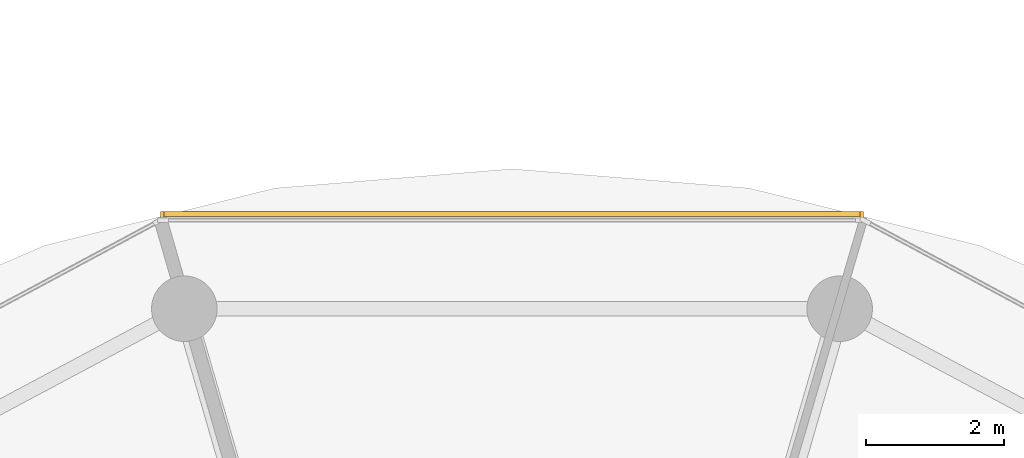
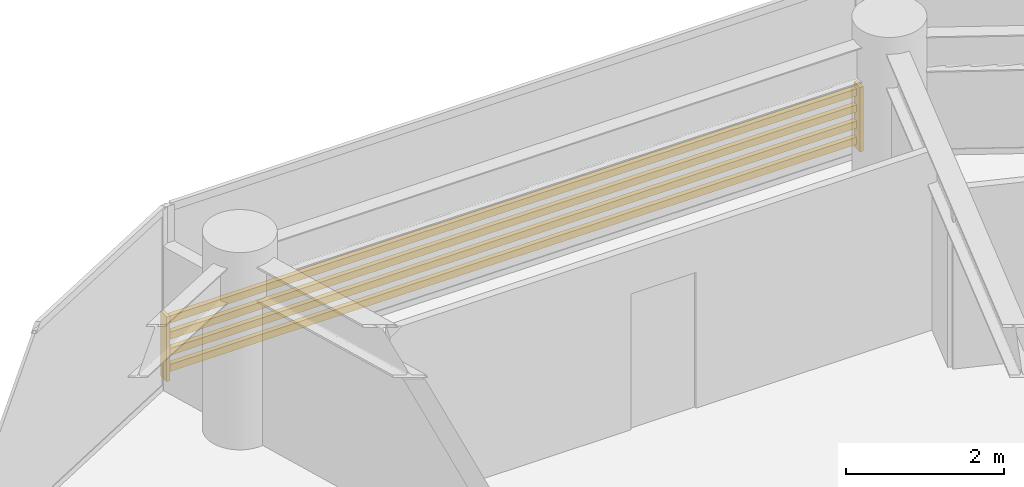
# One storey, part 26 of 26: 1 shading device.
"""IFC4 building model written with IfcOpenShell, lengths in metres."""

import ifcopenshell
import ifcopenshell.guid

model = None  # the IFC model being written
_history = None  # IfcOwnerHistory: only IFC2X3 demands one
_inside = {}  # id of a spatial element -> (the spatial element, [elements in it])
_under = {}  # id of a project, library or spatial element -> (it, [spatial elements below it])
_declared = {}  # id of a project -> (the project, [libraries it declares])
_typed = {}  # id of a type object -> (the type object, [elements of that type])
_made_of = {}  # id of a material, layer set ... -> (it, [elements and type objects made of it])


def new_model(schema):
    """Start an empty IFC model of exactly this schema.

    Asked for "IFC4X3", IfcOpenShell would pick the latest addendum, in which some entities
    have other attributes; the version numbers below select the first issue.
    IFC2X3 requires an IfcOwnerHistory on every rooted entity: one is made here for all.
    """
    global model, _history
    if schema == "IFC4X3":
        model = ifcopenshell.file(schema_version=(4, 3, 0, 0))
    else:
        model = ifcopenshell.file(schema=schema)
    _inside.clear()
    _under.clear()
    _declared.clear()
    _typed.clear()
    _made_of.clear()
    _history = None
    if model.schema == "IFC2X3":
        org = make("IfcOrganization", Name="unknown")
        user = make(
            "IfcPersonAndOrganization",
            ThePerson=make("IfcPerson", FamilyName="unknown"),
            TheOrganization=org,
        )
        app = make(
            "IfcApplication",
            ApplicationDeveloper=org,
            Version="unknown",
            ApplicationFullName="unknown",
            ApplicationIdentifier="unknown",
        )
        _history = make(
            "IfcOwnerHistory",
            OwningUser=user,
            OwningApplication=app,
            ChangeAction="ADDED",
            CreationDate=0,
        )
    return model


def make(cls, **values):
    """One entity of the class cls with the attributes given. An attribute that is None is left unset."""
    return model.create_entity(
        cls, **{name: value for name, value in values.items() if value is not None}
    )


def rooted(cls, **values):
    """An entity with a GlobalId (a new one), such as an element, a storey or a relation."""
    return make(cls, GlobalId=ifcopenshell.guid.new(), OwnerHistory=_history, **values)


def si_unit(unit_type, name, prefix=None):
    """IfcSIUnit, for example si_unit("LENGTHUNIT", "METRE", prefix="MILLI")."""
    return make("IfcSIUnit", UnitType=unit_type, Prefix=prefix, Name=name)


def assignment(units):
    """IfcUnitAssignment: the units of a project."""
    return None if units is None else make("IfcUnitAssignment", Units=units)


def point(xyz):
    """IfcCartesianPoint."""
    return None if xyz is None else make("IfcCartesianPoint", Coordinates=xyz)


def direction(xyz):
    """IfcDirection."""
    return None if xyz is None else make("IfcDirection", DirectionRatios=xyz)


def frame(location, z_axis=None, x_axis=None):
    """IfcAxis2Placement3D, a coordinate frame: its origin and axes. An axis left out is left unset."""
    return make(
        "IfcAxis2Placement3D",
        Location=point(location),
        Axis=direction(z_axis),
        RefDirection=direction(x_axis),
    )


def frame_2d(location, x_axis=None):
    """IfcAxis2Placement2D, a coordinate frame in the plane: its origin and x axis."""
    return make(
        "IfcAxis2Placement2D", Location=point(location), RefDirection=direction(x_axis)
    )


def origin():
    """The frame at (0, 0, 0) with its axes left unset."""
    return frame((0.0, 0.0, 0.0))


def origin_2d():
    """The frame at (0, 0) in the plane with its x axis left unset."""
    return frame_2d((0.0, 0.0))


def place(relative_to, where):
    """IfcLocalPlacement: puts the frame where relative to a parent placement (None: the world)."""
    return make(
        "IfcLocalPlacement", PlacementRelTo=relative_to, RelativePlacement=where
    )


def context(
    kind, dimensions, precision=None, world=None, true_north=None, identifier=None
):
    """IfcGeometricRepresentationContext, for example the 3D "Model" context."""
    return make(
        "IfcGeometricRepresentationContext",
        ContextIdentifier=identifier,
        ContextType=kind,
        CoordinateSpaceDimension=dimensions,
        Precision=precision,
        WorldCoordinateSystem=world,
        TrueNorth=true_north,
    )


def subcontext(parent, identifier, kind, view, scale=None):
    """IfcGeometricRepresentationSubContext, for example "Body" below "Model"."""
    return make(
        "IfcGeometricRepresentationSubContext",
        ContextIdentifier=identifier,
        ContextType=kind,
        ParentContext=parent,
        TargetScale=scale,
        TargetView=view,
    )


def project(units=None, contexts=None):
    """IfcProject with its units and contexts."""
    return rooted(
        "IfcProject",
        Name="project",
        RepresentationContexts=contexts,
        UnitsInContext=assignment(units),
    )


def spatial(cls, under=None, at=None, **own):
    """A site, building, storey or space (cls), placed at a placement, below another one or the project."""
    s = rooted(cls, ObjectPlacement=at, **own)
    if under is not None:
        _under.setdefault(under.id(), (under, []))[1].append(s)
    return s


def profile(cls, at=None, kind="AREA", **sizes):
    """A parametric profile (cls). Its sizes go by their IFC names, for example OverallWidth=200.0."""
    return make(cls, ProfileType=kind, Position=at, **sizes)


def rectangle(**sizes):
    """IfcRectangleProfileDef."""
    return profile("IfcRectangleProfileDef", **sizes)


def extrude(swept, where, along, depth):
    """IfcExtrudedAreaSolid: the profile swept, set in the frame where, extruded along a direction by depth."""
    return make(
        "IfcExtrudedAreaSolid",
        SweptArea=swept,
        Position=where,
        ExtrudedDirection=direction(along),
        Depth=depth,
    )


def shape(context_of_items, identifier, shape_type, items):
    """IfcShapeRepresentation: the items that make up one representation, for example the "Body"."""
    return make(
        "IfcShapeRepresentation",
        ContextOfItems=context_of_items,
        RepresentationIdentifier=identifier,
        RepresentationType=shape_type,
        Items=items,
    )


def source(mapping_origin, context_of_items, identifier, shape_type, items):
    """IfcRepresentationMap: a shape defined once, which mapped items show again and again."""
    return make(
        "IfcRepresentationMap",
        MappingOrigin=mapping_origin,
        MappedRepresentation=shape(context_of_items, identifier, shape_type, items),
    )


def transform(
    local_origin,
    x_axis=None,
    y_axis=None,
    z_axis=None,
    scale=None,
    scale2=None,
    scale3=None,
    uniform=True,
):
    """IfcCartesianTransformationOperator3D, or its non-uniform kind. x_axis, y_axis, z_axis: its Axis1, 2, 3."""
    if uniform:
        return make(
            "IfcCartesianTransformationOperator3D",
            Axis1=direction(x_axis),
            Axis2=direction(y_axis),
            LocalOrigin=point(local_origin),
            Scale=scale,
            Axis3=direction(z_axis),
        )
    return make(
        "IfcCartesianTransformationOperator3DnonUniform",
        Axis1=direction(x_axis),
        Axis2=direction(y_axis),
        LocalOrigin=point(local_origin),
        Scale=scale,
        Axis3=direction(z_axis),
        Scale2=scale2,
        Scale3=scale3,
    )


def mapped(mapping_source, mapping_target):
    """IfcMappedItem: shows the shape of a source again, moved by a transform."""
    return make(
        "IfcMappedItem", MappingSource=mapping_source, MappingTarget=mapping_target
    )


def material(Name=None, Category=None):
    """IfcMaterial."""
    return make("IfcMaterial", Name=Name, Category=Category)


def made_of(thing, what):
    """Note that an element or type object is made of a material, layer set ...; save() writes the relation."""
    if what is not None:
        _made_of.setdefault(what.id(), (what, []))[1].append(thing)
    return thing


def type_object(cls, material=None, **own):
    """A type object (cls), such as IfcWallType, which elements share."""
    return made_of(rooted(cls, **own), material)


def type_shapes(of_type, sources):
    """Give a type object the sources (RepresentationMaps) that its elements show as mapped items."""
    of_type.RepresentationMaps = sources


def element(
    cls,
    number,
    at=None,
    inside=None,
    cuts=None,
    type_object=None,
    material=None,
    context=None,
    identifier="Body",
    shape_type=None,
    held_by="IfcProductDefinitionShape",
    body=None,
    shapes=None,
    **own,
):
    """One element of the class cls, such as IfcWall. Its Tag is "e" and its number.

    at: its placement. inside: the storey or other place that contains it. cuts: it is an
    opening in that element (IfcRelVoidsElement). A single representation is given by context,
    identifier, shape_type and body (its items); several are given by shapes. held_by: the class
    of the entity that holds the representations. save() writes the other relations.
    """
    e = rooted(cls, Tag="e%d" % number, ObjectPlacement=at, **own)
    if body is not None:
        shapes = [shape(context, identifier, shape_type, body)]
    if shapes is not None:
        e.Representation = make(held_by, Representations=shapes)
    if inside is not None:
        _inside.setdefault(inside.id(), (inside, []))[1].append(e)
    if cuts is not None:
        rooted(
            "IfcRelVoidsElement", RelatingBuildingElement=cuts, RelatedOpeningElement=e
        )
    if type_object is not None:
        _typed.setdefault(type_object.id(), (type_object, []))[1].append(e)
    return made_of(e, material)


def aggregate(whole, parts):
    """IfcRelAggregates: a whole, such as a stair, and the parts it consists of."""
    return rooted("IfcRelAggregates", RelatingObject=whole, RelatedObjects=parts)


def save(model, path):
    """Write the relations noted so far, then the file.

    IfcRelAggregates (storeys below a building ...), IfcRelContainedInSpatialStructure (elements
    in a storey), IfcRelDefinesByType, IfcRelAssociatesMaterial and IfcRelDeclares: one each for
    every whole, place, type object, material and project.
    """
    for whole, parts in _under.values():
        aggregate(whole, parts)
    for where, things in _inside.values():
        rooted(
            "IfcRelContainedInSpatialStructure",
            RelatedElements=things,
            RelatingStructure=where,
        )
    for kind, things in _typed.values():
        rooted("IfcRelDefinesByType", RelatedObjects=things, RelatingType=kind)
    for what, things in _made_of.values():
        rooted("IfcRelAssociatesMaterial", RelatedObjects=things, RelatingMaterial=what)
    for by, libraries in _declared.values():
        rooted("IfcRelDeclares", RelatingContext=by, RelatedDefinitions=libraries)
    model.write(path)


model = new_model("IFC4")

# Units and contexts
model_context = context("Model", 3, precision=1e-05, world=origin(), true_north=direction((0.0, 1.0)))
body_context = subcontext(model_context, "Body", "Model", "MODEL_VIEW")
ifc_project = project(units=[si_unit("LENGTHUNIT", "METRE"), si_unit("AREAUNIT", "SQUARE_METRE"), si_unit("VOLUMEUNIT", "CUBIC_METRE"), si_unit("PLANEANGLEUNIT", "RADIAN"), si_unit("MASSUNIT", "GRAM", prefix="KILO")], contexts=[model_context])

# Site, building, storey
site_placement = place(None, origin())
site = spatial("IfcSite", under=ifc_project, at=site_placement, CompositionType="ELEMENT")
building_placement = place(site_placement, origin())
building = spatial("IfcBuilding", under=site, at=building_placement, Name="Norrkilde Senior Care Towers", CompositionType="ELEMENT")
storey_placement = place(building_placement, frame((0.0, 0.0, 24.64990234375)))
storey = spatial("IfcBuildingStorey", under=building, at=storey_placement, Name="L06", CompositionType="ELEMENT", Elevation=24.64990234375)

# Shading device
ifc_material = material(Name="Architectural Terracotta", Category="masonry")
shading_device_type = type_object("IfcShadingDeviceType", Name="Horizontal Terracotta Baguette Rack", PredefinedType="USERDEFINED", material=ifc_material)
shared_shape = source(origin(), body_context, "Body", "SweptSolid", [
    extrude(rectangle(XDim=0.070068359375, YDim=0.110107421875, at=origin_2d()), frame((0.0, 0.090087890625, 0.125), z_axis=(1.0, 0.0, 0.0), x_axis=(0.0, 1.0, 0.0)), (0.0, 0.0, 1.0), 10.18701171875),
    extrude(rectangle(XDim=0.070068359375, YDim=0.110107421875, at=origin_2d()), frame((0.0, 0.090087890625, 0.375), z_axis=(1.0, 0.0, 0.0), x_axis=(0.0, 1.0, 0.0)), (0.0, 0.0, 1.0), 10.18701171875),
    extrude(rectangle(XDim=0.070068359375, YDim=0.110107421875, at=origin_2d()), frame((0.0, 0.090087890625, 0.625), z_axis=(1.0, 0.0, 0.0), x_axis=(0.0, 1.0, 0.0)), (0.0, 0.0, 1.0), 10.18701171875),
    extrude(rectangle(XDim=0.070068359375, YDim=0.110107421875, at=origin_2d()), frame((0.0, 0.090087890625, 0.875), z_axis=(1.0, 0.0, 0.0), x_axis=(0.0, 1.0, 0.0)), (0.0, 0.0, 1.0), 10.18701171875),
    extrude(rectangle(XDim=0.050048828125, YDim=0.1552734375, at=origin_2d()), frame((0.02490234375, 0.047607421875, 0.0)), (0.0, 0.0, 1.0), 1.0),
    extrude(rectangle(XDim=0.050048828125, YDim=0.1552734375, at=origin_2d()), frame((10.162109375, 0.047607421875, 0.0)), (0.0, 0.0, 1.0), 1.0),
])
type_shapes(shading_device_type, [shared_shape])
shading_device_placement = place(storey_placement, frame((22.906494140625, 17.6572265625, 0.080078125), z_axis=(0.0, 0.0, 1.0), x_axis=(1.0, 0.0, 0.0)))
element("IfcShadingDevice", 1, at=shading_device_placement, inside=storey, type_object=shading_device_type, Name="L06 Drum E Terracotta Baguette Screen 02", ObjectType="BAGUETTE", PredefinedType="USERDEFINED", context=body_context, shape_type="MappedRepresentation", body=[
    mapped(shared_shape, transform((0.0, 0.0, 0.0), x_axis=(1.0, 0.0, 0.0), y_axis=(0.0, 1.0, 0.0), z_axis=(0.0, 0.0, 1.0), scale=1.0)),
])

save(model, "model.ifc")
